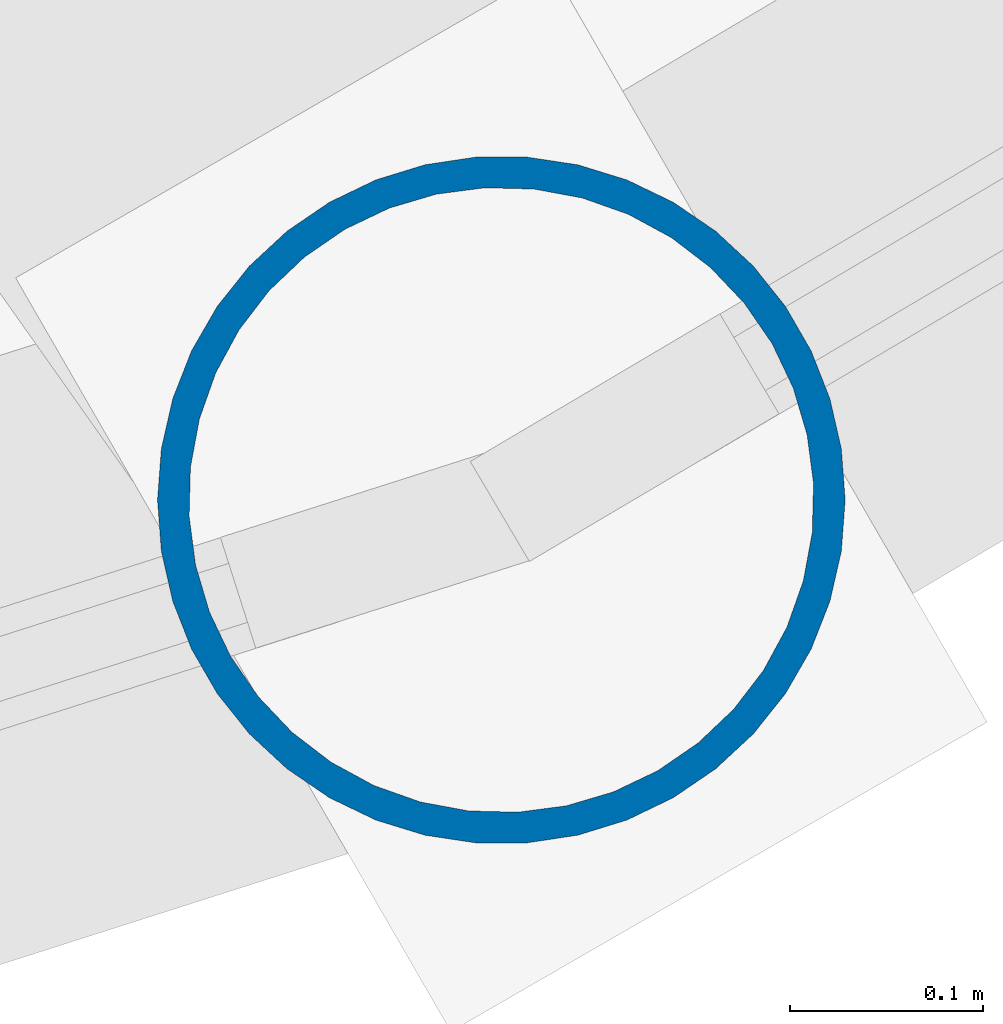
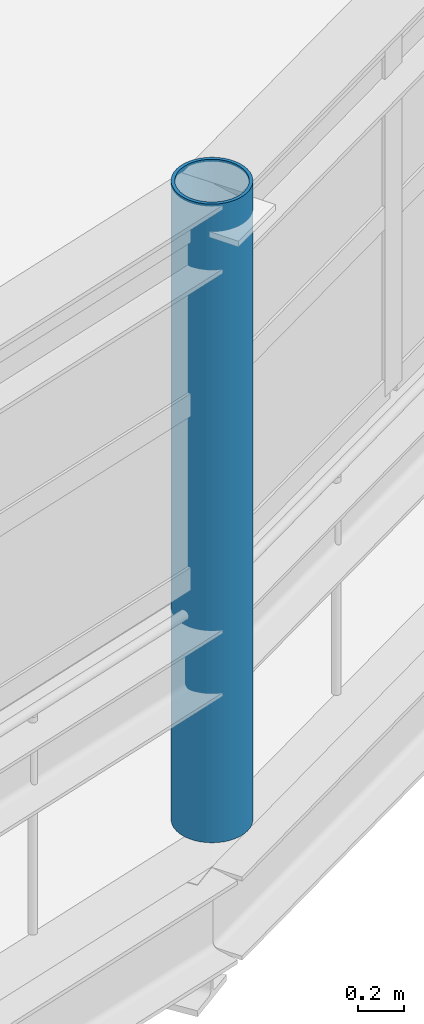
# One storey, part 7 of 123: 1 column.
"""IFC4 building model written with IfcOpenShell, lengths in metres."""

from ifc_helpers import new_model, si_unit, direction, frame, origin, origin_2d, place, context, subcontext, project, spatial, hollow_circle, extrude, material, material_profile, profile_set, type_object, element, save


model = new_model("IFC4")

# Units and contexts
model_context = context("Model", 3, precision=1e-05, world=origin(), true_north=direction((0.0, 1.0)))
body_context = subcontext(model_context, "Body", "Model", "MODEL_VIEW")
ifc_project = project(units=[si_unit("LENGTHUNIT", "METRE"), si_unit("AREAUNIT", "SQUARE_METRE"), si_unit("VOLUMEUNIT", "CUBIC_METRE"), si_unit("PLANEANGLEUNIT", "RADIAN"), si_unit("MASSUNIT", "GRAM", prefix="KILO")], contexts=[model_context])

# Site, building, storey
site_placement = place(None, origin())
site = spatial("IfcSite", under=ifc_project, at=site_placement, CompositionType="ELEMENT")
building_placement = place(site_placement, origin())
building = spatial("IfcBuilding", under=site, at=building_placement, Name="Kildeholm Park Wholesale Market", CompositionType="ELEMENT")
storey_placement = place(building_placement, frame((0.0, 0.0, 9.60009765625)))
storey = spatial("IfcBuildingStorey", under=building, at=storey_placement, Name="L02", CompositionType="ELEMENT", Elevation=9.60009765625)

# Column
ifc_material = material(Name="Steel S355", Category="steel")
ifc_material_profile = material_profile(ifc_material, hollow_circle(Radius=0.177734375, WallThickness=0.01611328125, at=origin_2d()), Name="CHS 355.6x16")
ifc_profile_set = profile_set([ifc_material_profile], Name="Steel S355")
column_type = type_object("IfcColumnType", Name="Column C-S10 CHS 355.6x16", PredefinedType="COLUMN", material=ifc_profile_set)
column_placement = place(storey_placement, frame((124.10009765625, 55.985107421875, 0.0), z_axis=(0.0, 0.0, 1.0), x_axis=(0.5, -0.866025403784, 0.0)))
element("IfcColumn", 1, at=column_placement, inside=storey, type_object=column_type, Name="Column V1-MD-20 L02 COL-0186", PredefinedType="COLUMN", context=body_context, shape_type="SweptSolid", body=[
    extrude(hollow_circle(Radius=0.177734375, WallThickness=0.01611328125, at=origin_2d()), origin(), (0.0, 0.0, 1.0), 3.3798828125),
])

save(model, "model.ifc")
